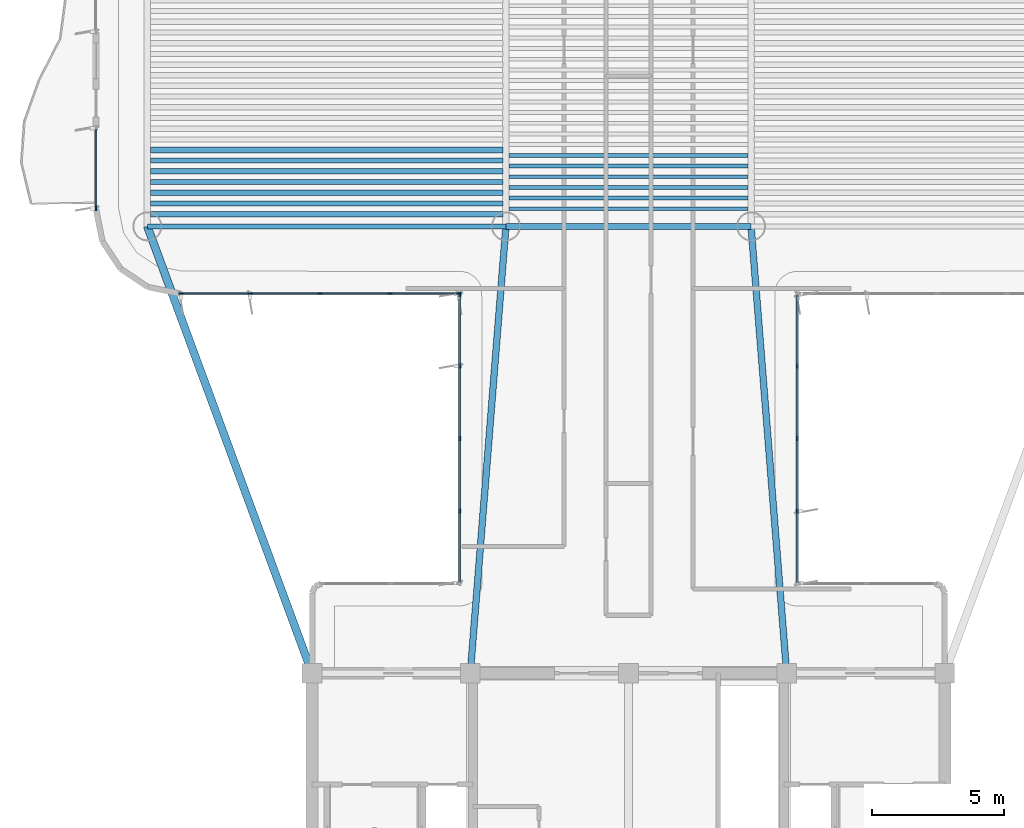
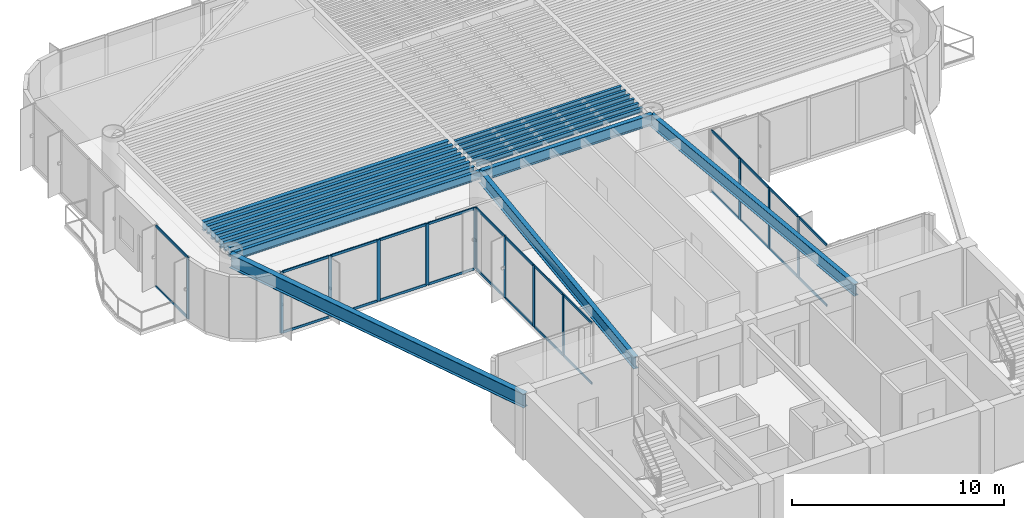
# One storey, part 3 of 13: 39 members, 18 beams, 4 elements without a shape of their own.
"""IFC4 building model written with IfcOpenShell, lengths in metres."""

import ifcopenshell
import ifcopenshell.guid

model = None  # the IFC model being written
_history = None  # IfcOwnerHistory: only IFC2X3 demands one
_inside = {}  # id of a spatial element -> (the spatial element, [elements in it])
_under = {}  # id of a project, library or spatial element -> (it, [spatial elements below it])
_declared = {}  # id of a project -> (the project, [libraries it declares])
_typed = {}  # id of a type object -> (the type object, [elements of that type])
_made_of = {}  # id of a material, layer set ... -> (it, [elements and type objects made of it])


def new_model(schema):
    """Start an empty IFC model of exactly this schema.

    Asked for "IFC4X3", IfcOpenShell would pick the latest addendum, in which some entities
    have other attributes; the version numbers below select the first issue.
    IFC2X3 requires an IfcOwnerHistory on every rooted entity: one is made here for all.
    """
    global model, _history
    if schema == "IFC4X3":
        model = ifcopenshell.file(schema_version=(4, 3, 0, 0))
    else:
        model = ifcopenshell.file(schema=schema)
    _inside.clear()
    _under.clear()
    _declared.clear()
    _typed.clear()
    _made_of.clear()
    _history = None
    if model.schema == "IFC2X3":
        org = make("IfcOrganization", Name="unknown")
        user = make(
            "IfcPersonAndOrganization",
            ThePerson=make("IfcPerson", FamilyName="unknown"),
            TheOrganization=org,
        )
        app = make(
            "IfcApplication",
            ApplicationDeveloper=org,
            Version="unknown",
            ApplicationFullName="unknown",
            ApplicationIdentifier="unknown",
        )
        _history = make(
            "IfcOwnerHistory",
            OwningUser=user,
            OwningApplication=app,
            ChangeAction="ADDED",
            CreationDate=0,
        )
    return model


def make(cls, **values):
    """One entity of the class cls with the attributes given. An attribute that is None is left unset."""
    return model.create_entity(
        cls, **{name: value for name, value in values.items() if value is not None}
    )


def rooted(cls, **values):
    """An entity with a GlobalId (a new one), such as an element, a storey or a relation."""
    return make(cls, GlobalId=ifcopenshell.guid.new(), OwnerHistory=_history, **values)


def si_unit(unit_type, name, prefix=None):
    """IfcSIUnit, for example si_unit("LENGTHUNIT", "METRE", prefix="MILLI")."""
    return make("IfcSIUnit", UnitType=unit_type, Prefix=prefix, Name=name)


def assignment(units):
    """IfcUnitAssignment: the units of a project."""
    return None if units is None else make("IfcUnitAssignment", Units=units)


def point(xyz):
    """IfcCartesianPoint."""
    return None if xyz is None else make("IfcCartesianPoint", Coordinates=xyz)


def direction(xyz):
    """IfcDirection."""
    return None if xyz is None else make("IfcDirection", DirectionRatios=xyz)


def frame(location, z_axis=None, x_axis=None):
    """IfcAxis2Placement3D, a coordinate frame: its origin and axes. An axis left out is left unset."""
    return make(
        "IfcAxis2Placement3D",
        Location=point(location),
        Axis=direction(z_axis),
        RefDirection=direction(x_axis),
    )


def frame_2d(location, x_axis=None):
    """IfcAxis2Placement2D, a coordinate frame in the plane: its origin and x axis."""
    return make(
        "IfcAxis2Placement2D", Location=point(location), RefDirection=direction(x_axis)
    )


def origin():
    """The frame at (0, 0, 0) with its axes left unset."""
    return frame((0.0, 0.0, 0.0))


def origin_2d():
    """The frame at (0, 0) in the plane with its x axis left unset."""
    return frame_2d((0.0, 0.0))


def place(relative_to, where):
    """IfcLocalPlacement: puts the frame where relative to a parent placement (None: the world)."""
    return make(
        "IfcLocalPlacement", PlacementRelTo=relative_to, RelativePlacement=where
    )


def context(
    kind, dimensions, precision=None, world=None, true_north=None, identifier=None
):
    """IfcGeometricRepresentationContext, for example the 3D "Model" context."""
    return make(
        "IfcGeometricRepresentationContext",
        ContextIdentifier=identifier,
        ContextType=kind,
        CoordinateSpaceDimension=dimensions,
        Precision=precision,
        WorldCoordinateSystem=world,
        TrueNorth=true_north,
    )


def subcontext(parent, identifier, kind, view, scale=None):
    """IfcGeometricRepresentationSubContext, for example "Body" below "Model"."""
    return make(
        "IfcGeometricRepresentationSubContext",
        ContextIdentifier=identifier,
        ContextType=kind,
        ParentContext=parent,
        TargetScale=scale,
        TargetView=view,
    )


def project(units=None, contexts=None):
    """IfcProject with its units and contexts."""
    return rooted(
        "IfcProject",
        Name="project",
        RepresentationContexts=contexts,
        UnitsInContext=assignment(units),
    )


def spatial(cls, under=None, at=None, **own):
    """A site, building, storey or space (cls), placed at a placement, below another one or the project."""
    s = rooted(cls, ObjectPlacement=at, **own)
    if under is not None:
        _under.setdefault(under.id(), (under, []))[1].append(s)
    return s


def profile(cls, at=None, kind="AREA", **sizes):
    """A parametric profile (cls). Its sizes go by their IFC names, for example OverallWidth=200.0."""
    return make(cls, ProfileType=kind, Position=at, **sizes)


def rectangle(**sizes):
    """IfcRectangleProfileDef."""
    return profile("IfcRectangleProfileDef", **sizes)


def i_section(**sizes):
    """IfcIShapeProfileDef."""
    return profile("IfcIShapeProfileDef", **sizes)


def extrude(swept, where, along, depth):
    """IfcExtrudedAreaSolid: the profile swept, set in the frame where, extruded along a direction by depth."""
    return make(
        "IfcExtrudedAreaSolid",
        SweptArea=swept,
        Position=where,
        ExtrudedDirection=direction(along),
        Depth=depth,
    )


def shape(context_of_items, identifier, shape_type, items):
    """IfcShapeRepresentation: the items that make up one representation, for example the "Body"."""
    return make(
        "IfcShapeRepresentation",
        ContextOfItems=context_of_items,
        RepresentationIdentifier=identifier,
        RepresentationType=shape_type,
        Items=items,
    )


def source(mapping_origin, context_of_items, identifier, shape_type, items):
    """IfcRepresentationMap: a shape defined once, which mapped items show again and again."""
    return make(
        "IfcRepresentationMap",
        MappingOrigin=mapping_origin,
        MappedRepresentation=shape(context_of_items, identifier, shape_type, items),
    )


def transform(
    local_origin,
    x_axis=None,
    y_axis=None,
    z_axis=None,
    scale=None,
    scale2=None,
    scale3=None,
    uniform=True,
):
    """IfcCartesianTransformationOperator3D, or its non-uniform kind. x_axis, y_axis, z_axis: its Axis1, 2, 3."""
    if uniform:
        return make(
            "IfcCartesianTransformationOperator3D",
            Axis1=direction(x_axis),
            Axis2=direction(y_axis),
            LocalOrigin=point(local_origin),
            Scale=scale,
            Axis3=direction(z_axis),
        )
    return make(
        "IfcCartesianTransformationOperator3DnonUniform",
        Axis1=direction(x_axis),
        Axis2=direction(y_axis),
        LocalOrigin=point(local_origin),
        Scale=scale,
        Axis3=direction(z_axis),
        Scale2=scale2,
        Scale3=scale3,
    )


def mapped(mapping_source, mapping_target):
    """IfcMappedItem: shows the shape of a source again, moved by a transform."""
    return make(
        "IfcMappedItem", MappingSource=mapping_source, MappingTarget=mapping_target
    )


def material(Name=None, Category=None):
    """IfcMaterial."""
    return make("IfcMaterial", Name=Name, Category=Category)


def layer(
    of_material, thickness, ventilated=None, Name=None, Category=None, Priority=None
):
    """IfcMaterialLayer: one layer of a wall or slab, of a material (None: an air gap)."""
    return make(
        "IfcMaterialLayer",
        Material=of_material,
        LayerThickness=thickness,
        IsVentilated=ventilated,
        Name=Name,
        Category=Category,
        Priority=Priority,
    )


def layer_set(layers, Name=None):
    """IfcMaterialLayerSet."""
    return make("IfcMaterialLayerSet", MaterialLayers=layers, LayerSetName=Name)


def material_profile(
    of_material, cross_section, Name=None, Category=None, Priority=None
):
    """IfcMaterialProfile: a cross section and its material."""
    return make(
        "IfcMaterialProfile",
        Name=Name,
        Material=of_material,
        Profile=cross_section,
        Priority=Priority,
        Category=Category,
    )


def profile_set(profiles, Name=None, composite=None):
    """IfcMaterialProfileSet."""
    return make(
        "IfcMaterialProfileSet",
        Name=Name,
        MaterialProfiles=profiles,
        CompositeProfile=composite,
    )


def made_of(thing, what):
    """Note that an element or type object is made of a material, layer set ...; save() writes the relation."""
    if what is not None:
        _made_of.setdefault(what.id(), (what, []))[1].append(thing)
    return thing


def type_object(cls, material=None, **own):
    """A type object (cls), such as IfcWallType, which elements share."""
    return made_of(rooted(cls, **own), material)


def element(
    cls,
    number,
    at=None,
    inside=None,
    cuts=None,
    type_object=None,
    material=None,
    context=None,
    identifier="Body",
    shape_type=None,
    held_by="IfcProductDefinitionShape",
    body=None,
    shapes=None,
    **own,
):
    """One element of the class cls, such as IfcWall. Its Tag is "e" and its number.

    at: its placement. inside: the storey or other place that contains it. cuts: it is an
    opening in that element (IfcRelVoidsElement). A single representation is given by context,
    identifier, shape_type and body (its items); several are given by shapes. held_by: the class
    of the entity that holds the representations. save() writes the other relations.
    """
    e = rooted(cls, Tag="e%d" % number, ObjectPlacement=at, **own)
    if body is not None:
        shapes = [shape(context, identifier, shape_type, body)]
    if shapes is not None:
        e.Representation = make(held_by, Representations=shapes)
    if inside is not None:
        _inside.setdefault(inside.id(), (inside, []))[1].append(e)
    if cuts is not None:
        rooted(
            "IfcRelVoidsElement", RelatingBuildingElement=cuts, RelatedOpeningElement=e
        )
    if type_object is not None:
        _typed.setdefault(type_object.id(), (type_object, []))[1].append(e)
    return made_of(e, material)


def aggregate(whole, parts):
    """IfcRelAggregates: a whole, such as a stair, and the parts it consists of."""
    return rooted("IfcRelAggregates", RelatingObject=whole, RelatedObjects=parts)


def save(model, path):
    """Write the relations noted so far, then the file.

    IfcRelAggregates (storeys below a building ...), IfcRelContainedInSpatialStructure (elements
    in a storey), IfcRelDefinesByType, IfcRelAssociatesMaterial and IfcRelDeclares: one each for
    every whole, place, type object, material and project.
    """
    for whole, parts in _under.values():
        aggregate(whole, parts)
    for where, things in _inside.values():
        rooted(
            "IfcRelContainedInSpatialStructure",
            RelatedElements=things,
            RelatingStructure=where,
        )
    for kind, things in _typed.values():
        rooted("IfcRelDefinesByType", RelatedObjects=things, RelatingType=kind)
    for what, things in _made_of.values():
        rooted("IfcRelAssociatesMaterial", RelatedObjects=things, RelatingMaterial=what)
    for by, libraries in _declared.values():
        rooted("IfcRelDeclares", RelatingContext=by, RelatedDefinitions=libraries)
    model.write(path)


model = new_model("IFC4")

# Units and contexts
model_context = context("Model", 3, precision=1e-05, world=origin(), true_north=direction((0.0, 1.0)))
body_context = subcontext(model_context, "Body", "Model", "MODEL_VIEW")
ifc_project = project(units=[si_unit("LENGTHUNIT", "METRE"), si_unit("AREAUNIT", "SQUARE_METRE"), si_unit("VOLUMEUNIT", "CUBIC_METRE"), si_unit("PLANEANGLEUNIT", "RADIAN"), si_unit("MASSUNIT", "GRAM", prefix="KILO")], contexts=[model_context])

# Site, building, storey
site_placement = place(None, origin())
site = spatial("IfcSite", under=ifc_project, at=site_placement, CompositionType="ELEMENT")
building_placement = place(site_placement, origin())
building = spatial("IfcBuilding", under=site, at=building_placement, Name="Brelvock Crest Care Tower", CompositionType="ELEMENT")
storey_placement = place(building_placement, frame((0.0, 0.0, 190.43994140625)))
storey = spatial("IfcBuildingStorey", under=building, at=storey_placement, Name="L48", CompositionType="ELEMENT", Elevation=190.43994140625)

# Beams
ifc_material_1 = material(Name="Steel Grade 350", Category="steel")
ifc_material_profile_1 = material_profile(ifc_material_1, i_section(OverallWidth=0.22900390625, OverallDepth=0.612060546875, WebThickness=0.011962890625, FlangeThickness=0.01953125, FilletRadius=0.013916015625, at=origin_2d()), Name="610UB125")
ifc_profile_set_1 = profile_set([ifc_material_profile_1], Name="Steel Grade 350")
beam_type_1 = type_object("IfcBeamType", Name="BM-G1", PredefinedType="BEAM", material=ifc_profile_set_1)
shared_shape_1 = source(origin(), body_context, "Body", "SweptSolid", [
    extrude(i_section(OverallWidth=0.22900390625, OverallDepth=0.612060546875, WebThickness=0.011962890625, FlangeThickness=0.01953125, FilletRadius=0.013916015625, at=origin_2d()), origin(), (0.0, 0.0, 1.0), 9.2998046875),
])
beam_1_placement = place(storey_placement, frame((31.35009765625, 34.949951171875, 3.22412109375), z_axis=(1.0, 0.0, 0.0), x_axis=(0.0, 1.0, 0.0)))
element("IfcBeam", 1, at=beam_1_placement, inside=storey, type_object=beam_type_1, Name="BM-TWR-L48-05", PredefinedType="BEAM", context=body_context, shape_type="MappedRepresentation", body=[
    mapped(shared_shape_1, transform((0.0, 0.0, 0.0), x_axis=(1.0, 0.0, 0.0), y_axis=(0.0, 1.0, 0.0), z_axis=(0.0, 0.0, 1.0), scale=1.0)),
])
ifc_material_profile_2 = material_profile(ifc_material_1, i_section(OverallWidth=0.14599609375, OverallDepth=0.256103515625, WebThickness=0.00634765625, FlangeThickness=0.010986328125, FilletRadius=0.0087890625, at=origin_2d()), Name="250UB37.3")
ifc_profile_set_2 = profile_set([ifc_material_profile_2], Name="Steel Grade 350")
beam_type_2 = type_object("IfcBeamType", Name="BM-J3", PredefinedType="JOIST", material=ifc_profile_set_2)
shared_shape_2 = source(origin(), body_context, "Body", "SweptSolid", [
    extrude(i_section(OverallWidth=0.14599609375, OverallDepth=0.256103515625, WebThickness=0.00634765625, FlangeThickness=0.010986328125, FilletRadius=0.0087890625, at=origin_2d()), origin(), (0.0, 0.0, 1.0), 9.06982421875),
])
for number, where, z_axis, x_axis, name in (
    (2, (31.465087890625, 35.618896484375, 3.402099609375), (1.0, 0.0, 0.0), (0.0, 1.0, 0.0), "BM-JH-L48-1"),
    (3, (31.465087890625, 36.02392578125, 3.402099609375), (1.0, 0.0, 0.0), (0.0, 1.0, 0.0), "BM-JH-L48-2"),
    (4, (31.465087890625, 36.42919921875, 3.402099609375), (1.0, 0.0, 0.0), (0.0, 1.0, 0.0), "BM-JH-L48-3"),
    (5, (31.465087890625, 36.834228515625, 3.402099609375), (1.0, 0.0, 0.0), (0.0, 1.0, 0.0), "BM-JH-L48-4"),
    (6, (31.465087890625, 37.239501953125, 3.402099609375), (1.0, 0.0, 0.0), (0.0, 1.0, 0.0), "BM-JH-L48-5"),
    (7, (31.465087890625, 37.64453125, 3.402099609375), (1.0, 0.0, 0.0), (0.0, 1.0, 0.0), "BM-JH-L48-6"),
):
    element("IfcBeam", number, at=place(storey_placement, frame(where, z_axis=z_axis, x_axis=x_axis)), inside=storey, type_object=beam_type_2, Name=name, PredefinedType="JOIST", context=body_context, shape_type="MappedRepresentation", body=[
        mapped(shared_shape_2, transform((0.0, 0.0, 0.0), x_axis=(1.0, 0.0, 0.0), y_axis=(0.0, 1.0, 0.0), z_axis=(0.0, 0.0, 1.0), scale=1.0)),
    ])
ifc_material_profile_3 = material_profile(ifc_material_1, i_section(OverallWidth=0.208984375, OverallDepth=0.532958984375, WebThickness=0.01025390625, FlangeThickness=0.015625, FilletRadius=0.013916015625, at=origin_2d()), Name="530UB92.4")
ifc_profile_set_3 = profile_set([ifc_material_profile_3], Name="Steel Grade 350")
beam_type_3 = type_object("IfcBeamType", Name="BM-G2", PredefinedType="BEAM", material=ifc_profile_set_3)
shared_shape_3 = source(origin(), body_context, "Body", "SweptSolid", [
    extrude(i_section(OverallWidth=0.208984375, OverallDepth=0.532958984375, WebThickness=0.01025390625, FlangeThickness=0.015625, FilletRadius=0.013916015625, at=origin_2d()), origin(), (0.0, 0.0, 1.0), 13.3701171875),
])
for number, where, z_axis, x_axis, name in (
    (8, (17.864990234375, 35.416259765625, 3.263671875), (1.0, 0.0, 0.0), (0.0, 1.0, 0.0), "BM-JW-L48-1"),
    (9, (17.864990234375, 36.2265625, 3.263671875), (1.0, 0.0, 0.0), (0.0, 1.0, 0.0), "BM-JW-L48-3"),
    (10, (17.864990234375, 37.036865234375, 3.263671875), (1.0, 0.0, 0.0), (0.0, 1.0, 0.0), "BM-JW-L48-5"),
    (11, (17.864990234375, 37.84716796875, 3.263671875), (1.0, 0.0, 0.0), (0.0, 1.0, 0.0), "BM-JW-L48-7"),
):
    element("IfcBeam", number, at=place(storey_placement, frame(where, z_axis=z_axis, x_axis=x_axis)), inside=storey, type_object=beam_type_3, Name=name, PredefinedType="BEAM", context=body_context, shape_type="MappedRepresentation", body=[
        mapped(shared_shape_3, transform((0.0, 0.0, 0.0), x_axis=(1.0, 0.0, 0.0), y_axis=(0.0, 1.0, 0.0), z_axis=(0.0, 0.0, 1.0), scale=1.0)),
    ])
ifc_material_profile_4 = material_profile(ifc_material_1, i_section(OverallWidth=0.19091796875, OverallDepth=0.4599609375, WebThickness=0.010009765625, FlangeThickness=0.01611328125, FilletRadius=0.011474609375, at=origin_2d()), Name="460UB82.1")
ifc_profile_set_4 = profile_set([ifc_material_profile_4], Name="Steel Grade 350")
beam_type_4 = type_object("IfcBeamType", Name="BM-G3", PredefinedType="BEAM", material=ifc_profile_set_4)
shared_shape_4 = source(origin(), body_context, "Body", "SweptSolid", [
    extrude(i_section(OverallWidth=0.19091796875, OverallDepth=0.4599609375, WebThickness=0.010009765625, FlangeThickness=0.01611328125, FilletRadius=0.011474609375, at=origin_2d()), origin(), (0.0, 0.0, 1.0), 13.3701171875),
])
for number, where, z_axis, x_axis, name in (
    (12, (17.864990234375, 35.8212890625, 3.300048828125), (1.0, 0.0, 0.0), (0.0, 1.0, 0.0), "BM-JW-L48-2"),
    (13, (17.864990234375, 36.631591796875, 3.300048828125), (1.0, 0.0, 0.0), (0.0, 1.0, 0.0), "BM-JW-L48-4"),
    (14, (17.864990234375, 37.44189453125, 3.300048828125), (1.0, 0.0, 0.0), (0.0, 1.0, 0.0), "BM-JW-L48-6"),
):
    element("IfcBeam", number, at=place(storey_placement, frame(where, z_axis=z_axis, x_axis=x_axis)), inside=storey, type_object=beam_type_4, Name=name, PredefinedType="BEAM", context=body_context, shape_type="MappedRepresentation", body=[
        mapped(shared_shape_4, transform((0.0, 0.0, 0.0), x_axis=(1.0, 0.0, 0.0), y_axis=(0.0, 1.0, 0.0), z_axis=(0.0, 0.0, 1.0), scale=1.0)),
    ])
ifc_material_profile_5 = material_profile(ifc_material_1, i_section(OverallWidth=0.19091796875, OverallDepth=0.4599609375, WebThickness=0.010009765625, FlangeThickness=0.01611328125, FilletRadius=0.011474609375, at=origin_2d()), Name="460UB82.1")
ifc_profile_set_5 = profile_set([ifc_material_profile_5], Name="Steel Grade 350")
beam_type_5 = type_object("IfcBeamType", Name="BM-SP2", PredefinedType="SPANDREL", material=ifc_profile_set_5)
shared_shape_5 = source(origin(), body_context, "Body", "SweptSolid", [
    extrude(i_section(OverallWidth=0.19091796875, OverallDepth=0.4599609375, WebThickness=0.010009765625, FlangeThickness=0.01611328125, FilletRadius=0.011474609375, at=origin_2d()), origin(), (0.0, 0.0, 1.0), 13.60009765625),
])
beam_2_placement = place(storey_placement, frame((17.75, 34.949951171875, 3.300048828125), z_axis=(1.0, 0.0, 0.0), x_axis=(0.0, 1.0, 0.0)))
element("IfcBeam", 15, at=beam_2_placement, inside=storey, type_object=beam_type_5, Name="BM-TWR-L48-03", PredefinedType="SPANDREL", context=body_context, shape_type="MappedRepresentation", body=[
    mapped(shared_shape_5, transform((0.0, 0.0, 0.0), x_axis=(1.0, 0.0, 0.0), y_axis=(0.0, 1.0, 0.0), z_axis=(0.0, 0.0, 1.0), scale=1.0)),
])
ifc_material_profile_6 = material_profile(ifc_material_1, i_section(OverallWidth=0.25, OverallDepth=0.699951171875, WebThickness=0.011962890625, FlangeThickness=0.02001953125, at=origin_2d()), Name="700WB150")
ifc_profile_set_6 = profile_set([ifc_material_profile_6], Name="Steel Grade 350")
beam_type_6 = type_object("IfcBeamType", Name="BM-G4", PredefinedType="BEAM", material=ifc_profile_set_6)
shared_shape_6 = source(origin(), body_context, "Body", "SweptSolid", [
    extrude(i_section(OverallWidth=0.25, OverallDepth=0.699951171875, WebThickness=0.011962890625, FlangeThickness=0.02001953125, at=origin_2d()), origin(), (0.0, 0.0, 1.0), 17.003662109375),
])
for number, where, z_axis, x_axis, name in (
    (16, (30.0, 18.0, 3.18017578125), (0.079400530776, 0.996842793881, 0.0), (-0.996842793881, 0.079400530776, 0.0), "BM-THRW-L48"),
    (17, (42.0, 18.0, 3.18017578125), (-0.079400530776, 0.996842793881, 0.0), (-0.996842793881, -0.079400530776, 0.0), "BM-THRE-L48"),
):
    element("IfcBeam", number, at=place(storey_placement, frame(where, z_axis=z_axis, x_axis=x_axis)), inside=storey, type_object=beam_type_6, Name=name, PredefinedType="BEAM", context=body_context, shape_type="MappedRepresentation", body=[
        mapped(shared_shape_6, transform((0.0, 0.0, 0.0), x_axis=(1.0, 0.0, 0.0), y_axis=(0.0, 1.0, 0.0), z_axis=(0.0, 0.0, 1.0), scale=1.0)),
    ])
ifc_material_profile_7 = material_profile(ifc_material_1, i_section(OverallWidth=0.300048828125, OverallDepth=0.800048828125, WebThickness=0.013916015625, FlangeThickness=0.02197265625, at=origin_2d()), Name="800WB192")
ifc_profile_set_7 = profile_set([ifc_material_profile_7], Name="Steel Grade 350")
beam_type_7 = type_object("IfcBeamType", Name="BM-G5", PredefinedType="BEAM", material=ifc_profile_set_7)
shared_shape_7 = source(origin(), body_context, "Body", "SweptSolid", [
    extrude(i_section(OverallWidth=0.300048828125, OverallDepth=0.800048828125, WebThickness=0.013916015625, FlangeThickness=0.02197265625, at=origin_2d()), origin(), (0.0, 0.0, 1.0), 18.0654296875),
])
beam_3_placement = place(storey_placement, frame((24.0, 18.0, 3.130126953125), z_axis=(-0.345962741309, 0.938248251597, 0.0), x_axis=(-0.938248251597, -0.345962741309, 0.0)))
element("IfcBeam", 18, at=beam_3_placement, inside=storey, type_object=beam_type_7, Name="BM-THRO-W-L48", PredefinedType="BEAM", context=body_context, shape_type="MappedRepresentation", body=[
    mapped(shared_shape_7, transform((0.0, 0.0, 0.0), x_axis=(1.0, 0.0, 0.0), y_axis=(0.0, 1.0, 0.0), z_axis=(0.0, 0.0, 1.0), scale=1.0)),
])

# Curtain wall, members
ifc_material_2 = material(Name="Dark Glass Double Glazed Low-E", Category="glass")
ifc_layer = layer(ifc_material_2, 0.22509765625, Name="CWS-4")
ifc_layer_set = layer_set([ifc_layer], Name="Dark Glass Double Glazed Low-E")
curtain_wall_type = type_object("IfcCurtainWallType", Name="CWS-4", PredefinedType="NOTDEFINED", material=ifc_layer_set)
curtain_wall_1_placement = place(storey_placement, origin())
curtain_wall_1 = element("IfcCurtainWall", 19, at=curtain_wall_1_placement, inside=storey, type_object=curtain_wall_type, Name="L48 Curtain Wall E11", PredefinedType="NOTDEFINED")
ifc_material_3 = material(Name="Aluminium 6063-T6", Category="aluminium")
ifc_material_profile_8 = material_profile(ifc_material_3, rectangle(XDim=0.06005859375, YDim=0.179931640625, at=origin_2d()), Name="ALU60x180")
ifc_profile_set_8 = profile_set([ifc_material_profile_8], Name="Aluminium 6063-T6")
member_type_1 = type_object("IfcMemberType", Name="CWM-2", PredefinedType="MULLION", material=ifc_profile_set_8)
shared_shape_8 = source(origin(), body_context, "Body", "SweptSolid", [
    extrude(rectangle(XDim=0.06005859375, YDim=0.179931640625, at=origin_2d()), origin(), (0.0, 0.0, 1.0), 3.530029296875),
])
member_1_placement = place(storey_placement, frame((29.60009765625, 24.14990234375, 0.0), z_axis=(0.0, 0.0, 1.0), x_axis=(-1.0, 0.0, 0.0)))
member_1 = element("IfcMember", 20, at=member_1_placement, type_object=member_type_1, Name="CW-4 mullion 2", PredefinedType="MULLION", context=body_context, shape_type="MappedRepresentation", body=[
    mapped(shared_shape_8, transform((0.0, 0.0, 0.0), x_axis=(1.0, 0.0, 0.0), y_axis=(0.0, 1.0, 0.0), z_axis=(0.0, 0.0, 1.0), scale=1.0)),
])
member_2_placement = place(storey_placement, frame((29.60009765625, 26.89990234375, 0.0), z_axis=(0.0, 0.0, 1.0), x_axis=(-1.0, 0.0, 0.0)))
member_2 = element("IfcMember", 21, at=member_2_placement, type_object=member_type_1, Name="CW-4 mullion 3", PredefinedType="MULLION", context=body_context, shape_type="MappedRepresentation", body=[
    mapped(shared_shape_8, transform((0.0, 0.0, 0.0), x_axis=(1.0, 0.0, 0.0), y_axis=(0.0, 1.0, 0.0), z_axis=(0.0, 0.0, 1.0), scale=1.0)),
])
member_3_placement = place(storey_placement, frame((29.60009765625, 29.64990234375, 0.0), z_axis=(0.0, 0.0, 1.0), x_axis=(-1.0, 0.0, 0.0)))
member_3 = element("IfcMember", 22, at=member_3_placement, type_object=member_type_1, Name="CW-4 mullion 4", PredefinedType="MULLION", context=body_context, shape_type="MappedRepresentation", body=[
    mapped(shared_shape_8, transform((0.0, 0.0, 0.0), x_axis=(1.0, 0.0, 0.0), y_axis=(0.0, 1.0, 0.0), z_axis=(0.0, 0.0, 1.0), scale=1.0)),
])
member_4_placement = place(storey_placement, frame((29.60009765625, 32.3701171875, 0.0), z_axis=(0.0, 0.0, 1.0), x_axis=(-1.0, 0.0, 0.0)))
member_4 = element("IfcMember", 23, at=member_4_placement, type_object=member_type_1, Name="CW-4 mullion 5", PredefinedType="MULLION", context=body_context, shape_type="MappedRepresentation", body=[
    mapped(shared_shape_8, transform((0.0, 0.0, 0.0), x_axis=(1.0, 0.0, 0.0), y_axis=(0.0, 1.0, 0.0), z_axis=(0.0, 0.0, 1.0), scale=1.0)),
])

curtain_wall_2_placement = place(storey_placement, origin())
curtain_wall_2 = element("IfcCurtainWall", 24, at=curtain_wall_2_placement, inside=storey, type_object=curtain_wall_type, Name="L48 Curtain Wall E12", PredefinedType="NOTDEFINED")
member_5_placement = place(storey_placement, frame((29.570068359375, 32.39990234375, 0.0), z_axis=(0.0, 0.0, 1.0), x_axis=(0.0, -1.0, 0.0)))
member_5 = element("IfcMember", 25, at=member_5_placement, type_object=member_type_1, Name="CW-4 mullion 1", PredefinedType="MULLION", context=body_context, shape_type="MappedRepresentation", body=[
    mapped(shared_shape_8, transform((0.0, 0.0, 0.0), x_axis=(1.0, 0.0, 0.0), y_axis=(0.0, 1.0, 0.0), z_axis=(0.0, 0.0, 1.0), scale=1.0)),
])
member_6_placement = place(storey_placement, frame((26.949951171875, 32.39990234375, 0.0), z_axis=(0.0, 0.0, 1.0), x_axis=(0.0, -1.0, 0.0)))
member_6 = element("IfcMember", 26, at=member_6_placement, type_object=member_type_1, Name="CW-4 mullion 2", PredefinedType="MULLION", context=body_context, shape_type="MappedRepresentation", body=[
    mapped(shared_shape_8, transform((0.0, 0.0, 0.0), x_axis=(1.0, 0.0, 0.0), y_axis=(0.0, 1.0, 0.0), z_axis=(0.0, 0.0, 1.0), scale=1.0)),
])
member_7_placement = place(storey_placement, frame((24.300048828125, 32.39990234375, 0.0), z_axis=(0.0, 0.0, 1.0), x_axis=(0.0, -1.0, 0.0)))
member_7 = element("IfcMember", 27, at=member_7_placement, type_object=member_type_1, Name="CW-4 mullion 3", PredefinedType="MULLION", context=body_context, shape_type="MappedRepresentation", body=[
    mapped(shared_shape_8, transform((0.0, 0.0, 0.0), x_axis=(1.0, 0.0, 0.0), y_axis=(0.0, 1.0, 0.0), z_axis=(0.0, 0.0, 1.0), scale=1.0)),
])
member_8_placement = place(storey_placement, frame((21.64990234375, 32.39990234375, 0.0), z_axis=(0.0, 0.0, 1.0), x_axis=(0.0, -1.0, 0.0)))
member_8 = element("IfcMember", 28, at=member_8_placement, type_object=member_type_1, Name="CW-4 mullion 4", PredefinedType="MULLION", context=body_context, shape_type="MappedRepresentation", body=[
    mapped(shared_shape_8, transform((0.0, 0.0, 0.0), x_axis=(1.0, 0.0, 0.0), y_axis=(0.0, 1.0, 0.0), z_axis=(0.0, 0.0, 1.0), scale=1.0)),
])
member_9_placement = place(storey_placement, frame((19.030029296875, 32.39990234375, 0.0), z_axis=(0.0, 0.0, 1.0), x_axis=(0.0, -1.0, 0.0)))
member_9 = element("IfcMember", 29, at=member_9_placement, type_object=member_type_1, Name="CW-4 mullion 5", PredefinedType="MULLION", context=body_context, shape_type="MappedRepresentation", body=[
    mapped(shared_shape_8, transform((0.0, 0.0, 0.0), x_axis=(1.0, 0.0, 0.0), y_axis=(0.0, 1.0, 0.0), z_axis=(0.0, 0.0, 1.0), scale=1.0)),
])

# Curtain wall, member
curtain_wall_3_placement = place(storey_placement, origin())
curtain_wall_3 = element("IfcCurtainWall", 30, at=curtain_wall_3_placement, inside=storey, type_object=curtain_wall_type, Name="L48 Curtain Wall E17A", PredefinedType="NOTDEFINED")
member_10_placement = place(storey_placement, frame((15.800048828125, 35.6298828125, 0.0), z_axis=(0.0, 0.0, 1.0), x_axis=(-1.0, 0.0, 0.0)))
member_10 = element("IfcMember", 31, at=member_10_placement, type_object=member_type_1, Name="CW-4 mullion 1", PredefinedType="MULLION", context=body_context, shape_type="MappedRepresentation", body=[
    mapped(shared_shape_8, transform((0.0, 0.0, 0.0), x_axis=(1.0, 0.0, 0.0), y_axis=(0.0, 1.0, 0.0), z_axis=(0.0, 0.0, 1.0), scale=1.0)),
])

# Curtain wall, members
curtain_wall_4_placement = place(storey_placement, origin())
curtain_wall_4 = element("IfcCurtainWall", 32, at=curtain_wall_4_placement, inside=storey, type_object=curtain_wall_type, Name="L48 Curtain Wall E45", PredefinedType="NOTDEFINED")
member_11_placement = place(storey_placement, frame((42.39990234375, 29.64990234375, 0.0), z_axis=(0.0, 0.0, 1.0), x_axis=(1.0, 0.0, 0.0)))
member_11 = element("IfcMember", 33, at=member_11_placement, type_object=member_type_1, Name="CW-4 mullion 2", PredefinedType="MULLION", context=body_context, shape_type="MappedRepresentation", body=[
    mapped(shared_shape_8, transform((0.0, 0.0, 0.0), x_axis=(1.0, 0.0, 0.0), y_axis=(0.0, 1.0, 0.0), z_axis=(0.0, 0.0, 1.0), scale=1.0)),
])
member_12_placement = place(storey_placement, frame((42.39990234375, 26.89990234375, 0.0), z_axis=(0.0, 0.0, 1.0), x_axis=(1.0, 0.0, 0.0)))
member_12 = element("IfcMember", 34, at=member_12_placement, type_object=member_type_1, Name="CW-4 mullion 3", PredefinedType="MULLION", context=body_context, shape_type="MappedRepresentation", body=[
    mapped(shared_shape_8, transform((0.0, 0.0, 0.0), x_axis=(1.0, 0.0, 0.0), y_axis=(0.0, 1.0, 0.0), z_axis=(0.0, 0.0, 1.0), scale=1.0)),
])
member_13_placement = place(storey_placement, frame((42.39990234375, 24.14990234375, 0.0), z_axis=(0.0, 0.0, 1.0), x_axis=(1.0, 0.0, 0.0)))
member_13 = element("IfcMember", 35, at=member_13_placement, type_object=member_type_1, Name="CW-4 mullion 4", PredefinedType="MULLION", context=body_context, shape_type="MappedRepresentation", body=[
    mapped(shared_shape_8, transform((0.0, 0.0, 0.0), x_axis=(1.0, 0.0, 0.0), y_axis=(0.0, 1.0, 0.0), z_axis=(0.0, 0.0, 1.0), scale=1.0)),
])

# Member
ifc_material_profile_9 = material_profile(ifc_material_3, rectangle(XDim=0.06005859375, YDim=0.139892578125, at=origin_2d()), Name="ALU60x140")
ifc_profile_set_9 = profile_set([ifc_material_profile_9], Name="Aluminium 6063-T6")
member_type_2 = type_object("IfcMemberType", Name="CWT-2", PredefinedType="USERDEFINED", material=ifc_profile_set_9)
shared_shape_9 = source(origin(), body_context, "Body", "SweptSolid", [
    extrude(rectangle(XDim=0.06005859375, YDim=0.139892578125, at=origin_2d()), origin(), (0.0, 0.0, 1.0), 2.66015625),
])
member_14_placement = place(storey_placement, frame((29.60009765625, 21.4599609375, 0.030029296875), z_axis=(0.0, 1.0, 0.0), x_axis=(-1.0, 0.0, 0.0)))
member_14 = element("IfcMember", 36, at=member_14_placement, type_object=member_type_2, Name="CW-4 transom 1.1", ObjectType="TRANSOM", PredefinedType="USERDEFINED", context=body_context, shape_type="MappedRepresentation", body=[
    mapped(shared_shape_9, transform((0.0, 0.0, 0.0), x_axis=(1.0, 0.0, 0.0), y_axis=(0.0, 1.0, 0.0), z_axis=(0.0, 0.0, 1.0), scale=1.0)),
])

member_15_placement = place(storey_placement, frame((29.60009765625, 21.4599609375, 3.5), z_axis=(0.0, 1.0, 0.0), x_axis=(-1.0, 0.0, 0.0)))
member_15 = element("IfcMember", 37, at=member_15_placement, type_object=member_type_2, Name="CW-4 transom 1.2", ObjectType="TRANSOM", PredefinedType="USERDEFINED", context=body_context, shape_type="MappedRepresentation", body=[
    mapped(shared_shape_9, transform((0.0, 0.0, 0.0), x_axis=(1.0, 0.0, 0.0), y_axis=(0.0, 1.0, 0.0), z_axis=(0.0, 0.0, 1.0), scale=1.0)),
])

member_16_placement = place(storey_placement, frame((29.60009765625, 29.679931640625, 0.030029296875), z_axis=(0.0, 1.0, 0.0), x_axis=(-1.0, 0.0, 0.0)))
member_16 = element("IfcMember", 38, at=member_16_placement, type_object=member_type_2, Name="CW-4 transom 4.1", ObjectType="TRANSOM", PredefinedType="USERDEFINED", context=body_context, shape_type="MappedRepresentation", body=[
    mapped(shared_shape_9, transform((0.0, 0.0, 0.0), x_axis=(1.0, 0.0, 0.0), y_axis=(0.0, 1.0, 0.0), z_axis=(0.0, 0.0, 1.0), scale=1.0)),
])

member_17_placement = place(storey_placement, frame((29.60009765625, 29.679931640625, 3.5), z_axis=(0.0, 1.0, 0.0), x_axis=(-1.0, 0.0, 0.0)))
member_17 = element("IfcMember", 39, at=member_17_placement, type_object=member_type_2, Name="CW-4 transom 4.2", ObjectType="TRANSOM", PredefinedType="USERDEFINED", context=body_context, shape_type="MappedRepresentation", body=[
    mapped(shared_shape_9, transform((0.0, 0.0, 0.0), x_axis=(1.0, 0.0, 0.0), y_axis=(0.0, 1.0, 0.0), z_axis=(0.0, 0.0, 1.0), scale=1.0)),
])

member_18_placement = place(storey_placement, frame((42.39990234375, 32.340087890625, 0.030029296875), z_axis=(0.0, -1.0, 0.0), x_axis=(1.0, 0.0, 0.0)))
member_18 = element("IfcMember", 40, at=member_18_placement, type_object=member_type_2, Name="CW-4 transom 1.1", ObjectType="TRANSOM", PredefinedType="USERDEFINED", context=body_context, shape_type="MappedRepresentation", body=[
    mapped(shared_shape_9, transform((0.0, 0.0, 0.0), x_axis=(1.0, 0.0, 0.0), y_axis=(0.0, 1.0, 0.0), z_axis=(0.0, 0.0, 1.0), scale=1.0)),
])

member_19_placement = place(storey_placement, frame((42.39990234375, 32.340087890625, 3.5), z_axis=(0.0, -1.0, 0.0), x_axis=(1.0, 0.0, 0.0)))
member_19 = element("IfcMember", 41, at=member_19_placement, type_object=member_type_2, Name="CW-4 transom 1.2", ObjectType="TRANSOM", PredefinedType="USERDEFINED", context=body_context, shape_type="MappedRepresentation", body=[
    mapped(shared_shape_9, transform((0.0, 0.0, 0.0), x_axis=(1.0, 0.0, 0.0), y_axis=(0.0, 1.0, 0.0), z_axis=(0.0, 0.0, 1.0), scale=1.0)),
])

member_20_placement = place(storey_placement, frame((42.39990234375, 24.1201171875, 0.030029296875), z_axis=(0.0, -1.0, 0.0), x_axis=(1.0, 0.0, 0.0)))
member_20 = element("IfcMember", 42, at=member_20_placement, type_object=member_type_2, Name="CW-4 transom 4.1", ObjectType="TRANSOM", PredefinedType="USERDEFINED", context=body_context, shape_type="MappedRepresentation", body=[
    mapped(shared_shape_9, transform((0.0, 0.0, 0.0), x_axis=(1.0, 0.0, 0.0), y_axis=(0.0, 1.0, 0.0), z_axis=(0.0, 0.0, 1.0), scale=1.0)),
])

member_21_placement = place(storey_placement, frame((42.39990234375, 24.1201171875, 3.5), z_axis=(0.0, -1.0, 0.0), x_axis=(1.0, 0.0, 0.0)))
member_21 = element("IfcMember", 43, at=member_21_placement, type_object=member_type_2, Name="CW-4 transom 4.2", ObjectType="TRANSOM", PredefinedType="USERDEFINED", context=body_context, shape_type="MappedRepresentation", body=[
    mapped(shared_shape_9, transform((0.0, 0.0, 0.0), x_axis=(1.0, 0.0, 0.0), y_axis=(0.0, 1.0, 0.0), z_axis=(0.0, 0.0, 1.0), scale=1.0)),
])

shared_shape_10 = source(origin(), body_context, "Body", "SweptSolid", [
    extrude(rectangle(XDim=0.06005859375, YDim=0.139892578125, at=origin_2d()), origin(), (0.0, 0.0, 1.0), 2.690185546875),
])
member_22_placement = place(storey_placement, frame((29.60009765625, 24.179931640625, 0.030029296875), z_axis=(0.0, 1.0, 0.0), x_axis=(-1.0, 0.0, 0.0)))
member_22 = element("IfcMember", 44, at=member_22_placement, type_object=member_type_2, Name="CW-4 transom 2.1", ObjectType="TRANSOM", PredefinedType="USERDEFINED", context=body_context, shape_type="MappedRepresentation", body=[
    mapped(shared_shape_10, transform((0.0, 0.0, 0.0), x_axis=(1.0, 0.0, 0.0), y_axis=(0.0, 1.0, 0.0), z_axis=(0.0, 0.0, 1.0), scale=1.0)),
])

member_23_placement = place(storey_placement, frame((29.60009765625, 24.179931640625, 3.5), z_axis=(0.0, 1.0, 0.0), x_axis=(-1.0, 0.0, 0.0)))
member_23 = element("IfcMember", 45, at=member_23_placement, type_object=member_type_2, Name="CW-4 transom 2.2", ObjectType="TRANSOM", PredefinedType="USERDEFINED", context=body_context, shape_type="MappedRepresentation", body=[
    mapped(shared_shape_10, transform((0.0, 0.0, 0.0), x_axis=(1.0, 0.0, 0.0), y_axis=(0.0, 1.0, 0.0), z_axis=(0.0, 0.0, 1.0), scale=1.0)),
])

member_24_placement = place(storey_placement, frame((29.60009765625, 26.929931640625, 0.030029296875), z_axis=(0.0, 1.0, 0.0), x_axis=(-1.0, 0.0, 0.0)))
member_24 = element("IfcMember", 46, at=member_24_placement, type_object=member_type_2, Name="CW-4 transom 3.1", ObjectType="TRANSOM", PredefinedType="USERDEFINED", context=body_context, shape_type="MappedRepresentation", body=[
    mapped(shared_shape_10, transform((0.0, 0.0, 0.0), x_axis=(1.0, 0.0, 0.0), y_axis=(0.0, 1.0, 0.0), z_axis=(0.0, 0.0, 1.0), scale=1.0)),
])

member_25_placement = place(storey_placement, frame((29.60009765625, 26.929931640625, 3.5), z_axis=(0.0, 1.0, 0.0), x_axis=(-1.0, 0.0, 0.0)))
member_25 = element("IfcMember", 47, at=member_25_placement, type_object=member_type_2, Name="CW-4 transom 3.2", ObjectType="TRANSOM", PredefinedType="USERDEFINED", context=body_context, shape_type="MappedRepresentation", body=[
    mapped(shared_shape_10, transform((0.0, 0.0, 0.0), x_axis=(1.0, 0.0, 0.0), y_axis=(0.0, 1.0, 0.0), z_axis=(0.0, 0.0, 1.0), scale=1.0)),
])

aggregate(curtain_wall_1, [member_1, member_2, member_3, member_4, member_14, member_15, member_22, member_23, member_24, member_25, member_16, member_17])

member_26_placement = place(storey_placement, frame((42.39990234375, 29.6201171875, 0.030029296875), z_axis=(0.0, -1.0, 0.0), x_axis=(1.0, 0.0, 0.0)))
member_26 = element("IfcMember", 48, at=member_26_placement, type_object=member_type_2, Name="CW-4 transom 2.1", ObjectType="TRANSOM", PredefinedType="USERDEFINED", context=body_context, shape_type="MappedRepresentation", body=[
    mapped(shared_shape_10, transform((0.0, 0.0, 0.0), x_axis=(1.0, 0.0, 0.0), y_axis=(0.0, 1.0, 0.0), z_axis=(0.0, 0.0, 1.0), scale=1.0)),
])

member_27_placement = place(storey_placement, frame((42.39990234375, 29.6201171875, 3.5), z_axis=(0.0, -1.0, 0.0), x_axis=(1.0, 0.0, 0.0)))
member_27 = element("IfcMember", 49, at=member_27_placement, type_object=member_type_2, Name="CW-4 transom 2.2", ObjectType="TRANSOM", PredefinedType="USERDEFINED", context=body_context, shape_type="MappedRepresentation", body=[
    mapped(shared_shape_10, transform((0.0, 0.0, 0.0), x_axis=(1.0, 0.0, 0.0), y_axis=(0.0, 1.0, 0.0), z_axis=(0.0, 0.0, 1.0), scale=1.0)),
])

member_28_placement = place(storey_placement, frame((42.39990234375, 26.8701171875, 0.030029296875), z_axis=(0.0, -1.0, 0.0), x_axis=(1.0, 0.0, 0.0)))
member_28 = element("IfcMember", 50, at=member_28_placement, type_object=member_type_2, Name="CW-4 transom 3.1", ObjectType="TRANSOM", PredefinedType="USERDEFINED", context=body_context, shape_type="MappedRepresentation", body=[
    mapped(shared_shape_10, transform((0.0, 0.0, 0.0), x_axis=(1.0, 0.0, 0.0), y_axis=(0.0, 1.0, 0.0), z_axis=(0.0, 0.0, 1.0), scale=1.0)),
])

member_29_placement = place(storey_placement, frame((42.39990234375, 26.8701171875, 3.5), z_axis=(0.0, -1.0, 0.0), x_axis=(1.0, 0.0, 0.0)))
member_29 = element("IfcMember", 51, at=member_29_placement, type_object=member_type_2, Name="CW-4 transom 3.2", ObjectType="TRANSOM", PredefinedType="USERDEFINED", context=body_context, shape_type="MappedRepresentation", body=[
    mapped(shared_shape_10, transform((0.0, 0.0, 0.0), x_axis=(1.0, 0.0, 0.0), y_axis=(0.0, 1.0, 0.0), z_axis=(0.0, 0.0, 1.0), scale=1.0)),
])

aggregate(curtain_wall_4, [member_11, member_12, member_13, member_18, member_19, member_26, member_27, member_28, member_29, member_20, member_21])

shared_shape_11 = source(origin(), body_context, "Body", "SweptSolid", [
    extrude(rectangle(XDim=0.06005859375, YDim=0.139892578125, at=origin_2d()), origin(), (0.0, 0.0, 1.0), 2.56005859375),
])
member_30_placement = place(storey_placement, frame((29.5400390625, 32.39990234375, 0.030029296875), z_axis=(-1.0, 0.0, 0.0), x_axis=(0.0, -1.0, 0.0)))
member_30 = element("IfcMember", 52, at=member_30_placement, type_object=member_type_2, Name="CW-4 transom 1.1", ObjectType="TRANSOM", PredefinedType="USERDEFINED", context=body_context, shape_type="MappedRepresentation", body=[
    mapped(shared_shape_11, transform((0.0, 0.0, 0.0), x_axis=(1.0, 0.0, 0.0), y_axis=(0.0, 1.0, 0.0), z_axis=(0.0, 0.0, 1.0), scale=1.0)),
])

member_31_placement = place(storey_placement, frame((29.5400390625, 32.39990234375, 3.5), z_axis=(-1.0, 0.0, 0.0), x_axis=(0.0, -1.0, 0.0)))
member_31 = element("IfcMember", 53, at=member_31_placement, type_object=member_type_2, Name="CW-4 transom 1.2", ObjectType="TRANSOM", PredefinedType="USERDEFINED", context=body_context, shape_type="MappedRepresentation", body=[
    mapped(shared_shape_11, transform((0.0, 0.0, 0.0), x_axis=(1.0, 0.0, 0.0), y_axis=(0.0, 1.0, 0.0), z_axis=(0.0, 0.0, 1.0), scale=1.0)),
])

member_32_placement = place(storey_placement, frame((21.6201171875, 32.39990234375, 0.030029296875), z_axis=(-1.0, 0.0, 0.0), x_axis=(0.0, -1.0, 0.0)))
member_32 = element("IfcMember", 54, at=member_32_placement, type_object=member_type_2, Name="CW-4 transom 4.1", ObjectType="TRANSOM", PredefinedType="USERDEFINED", context=body_context, shape_type="MappedRepresentation", body=[
    mapped(shared_shape_11, transform((0.0, 0.0, 0.0), x_axis=(1.0, 0.0, 0.0), y_axis=(0.0, 1.0, 0.0), z_axis=(0.0, 0.0, 1.0), scale=1.0)),
])

member_33_placement = place(storey_placement, frame((21.6201171875, 32.39990234375, 3.5), z_axis=(-1.0, 0.0, 0.0), x_axis=(0.0, -1.0, 0.0)))
member_33 = element("IfcMember", 55, at=member_33_placement, type_object=member_type_2, Name="CW-4 transom 4.2", ObjectType="TRANSOM", PredefinedType="USERDEFINED", context=body_context, shape_type="MappedRepresentation", body=[
    mapped(shared_shape_11, transform((0.0, 0.0, 0.0), x_axis=(1.0, 0.0, 0.0), y_axis=(0.0, 1.0, 0.0), z_axis=(0.0, 0.0, 1.0), scale=1.0)),
])

shared_shape_12 = source(origin(), body_context, "Body", "SweptSolid", [
    extrude(rectangle(XDim=0.06005859375, YDim=0.139892578125, at=origin_2d()), origin(), (0.0, 0.0, 1.0), 2.58984375),
])
member_34_placement = place(storey_placement, frame((26.919921875, 32.39990234375, 0.030029296875), z_axis=(-1.0, 0.0, 0.0), x_axis=(0.0, -1.0, 0.0)))
member_34 = element("IfcMember", 56, at=member_34_placement, type_object=member_type_2, Name="CW-4 transom 2.1", ObjectType="TRANSOM", PredefinedType="USERDEFINED", context=body_context, shape_type="MappedRepresentation", body=[
    mapped(shared_shape_12, transform((0.0, 0.0, 0.0), x_axis=(1.0, 0.0, 0.0), y_axis=(0.0, 1.0, 0.0), z_axis=(0.0, 0.0, 1.0), scale=1.0)),
])

member_35_placement = place(storey_placement, frame((26.919921875, 32.39990234375, 3.5), z_axis=(-1.0, 0.0, 0.0), x_axis=(0.0, -1.0, 0.0)))
member_35 = element("IfcMember", 57, at=member_35_placement, type_object=member_type_2, Name="CW-4 transom 2.2", ObjectType="TRANSOM", PredefinedType="USERDEFINED", context=body_context, shape_type="MappedRepresentation", body=[
    mapped(shared_shape_12, transform((0.0, 0.0, 0.0), x_axis=(1.0, 0.0, 0.0), y_axis=(0.0, 1.0, 0.0), z_axis=(0.0, 0.0, 1.0), scale=1.0)),
])

shared_shape_13 = source(origin(), body_context, "Body", "SweptSolid", [
    extrude(rectangle(XDim=0.06005859375, YDim=0.139892578125, at=origin_2d()), origin(), (0.0, 0.0, 1.0), 2.590087890625),
])
member_36_placement = place(storey_placement, frame((24.27001953125, 32.39990234375, 0.030029296875), z_axis=(-1.0, 0.0, 0.0), x_axis=(0.0, -1.0, 0.0)))
member_36 = element("IfcMember", 58, at=member_36_placement, type_object=member_type_2, Name="CW-4 transom 3.1", ObjectType="TRANSOM", PredefinedType="USERDEFINED", context=body_context, shape_type="MappedRepresentation", body=[
    mapped(shared_shape_13, transform((0.0, 0.0, 0.0), x_axis=(1.0, 0.0, 0.0), y_axis=(0.0, 1.0, 0.0), z_axis=(0.0, 0.0, 1.0), scale=1.0)),
])

member_37_placement = place(storey_placement, frame((24.27001953125, 32.39990234375, 3.5), z_axis=(-1.0, 0.0, 0.0), x_axis=(0.0, -1.0, 0.0)))
member_37 = element("IfcMember", 59, at=member_37_placement, type_object=member_type_2, Name="CW-4 transom 3.2", ObjectType="TRANSOM", PredefinedType="USERDEFINED", context=body_context, shape_type="MappedRepresentation", body=[
    mapped(shared_shape_13, transform((0.0, 0.0, 0.0), x_axis=(1.0, 0.0, 0.0), y_axis=(0.0, 1.0, 0.0), z_axis=(0.0, 0.0, 1.0), scale=1.0)),
])

aggregate(curtain_wall_2, [member_5, member_6, member_7, member_8, member_9, member_30, member_31, member_34, member_35, member_36, member_37, member_32, member_33])

shared_shape_14 = source(origin(), body_context, "Body", "SweptSolid", [
    extrude(rectangle(XDim=0.06005859375, YDim=0.139892578125, at=origin_2d()), origin(), (0.0, 0.0, 1.0), 2.97998046875),
])
member_38_placement = place(storey_placement, frame((15.800048828125, 35.659912109375, 0.030029296875), z_axis=(0.0, 1.0, 0.0), x_axis=(-1.0, 0.0, 0.0)))
member_38 = element("IfcMember", 60, at=member_38_placement, type_object=member_type_2, Name="CW-4 transom 1.1", ObjectType="TRANSOM", PredefinedType="USERDEFINED", context=body_context, shape_type="MappedRepresentation", body=[
    mapped(shared_shape_14, transform((0.0, 0.0, 0.0), x_axis=(1.0, 0.0, 0.0), y_axis=(0.0, 1.0, 0.0), z_axis=(0.0, 0.0, 1.0), scale=1.0)),
])

member_39_placement = place(storey_placement, frame((15.800048828125, 35.659912109375, 3.5), z_axis=(0.0, 1.0, 0.0), x_axis=(-1.0, 0.0, 0.0)))
member_39 = element("IfcMember", 61, at=member_39_placement, type_object=member_type_2, Name="CW-4 transom 1.2", ObjectType="TRANSOM", PredefinedType="USERDEFINED", context=body_context, shape_type="MappedRepresentation", body=[
    mapped(shared_shape_14, transform((0.0, 0.0, 0.0), x_axis=(1.0, 0.0, 0.0), y_axis=(0.0, 1.0, 0.0), z_axis=(0.0, 0.0, 1.0), scale=1.0)),
])

aggregate(curtain_wall_3, [member_10, member_38, member_39])

save(model, "model.ifc")
